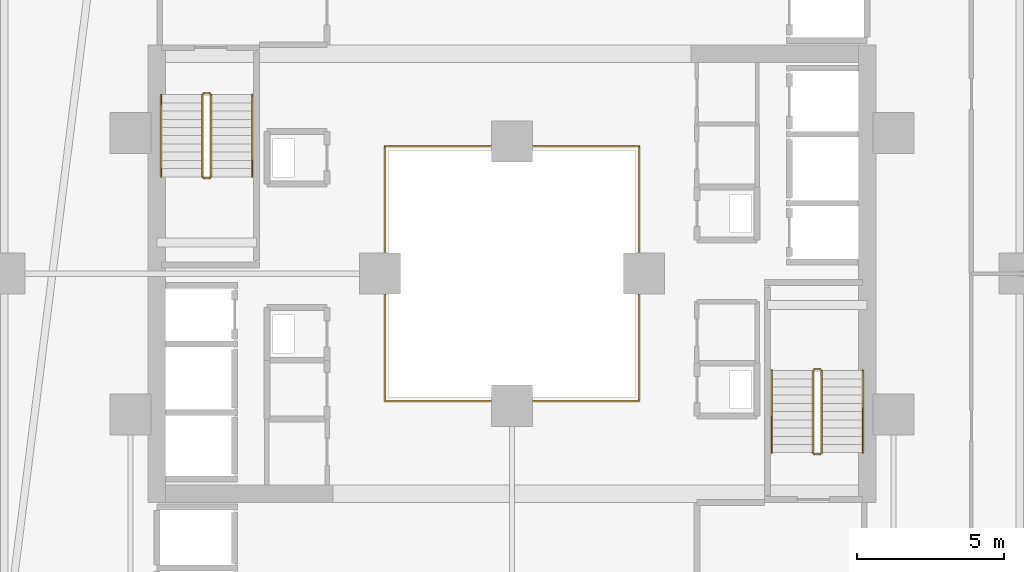
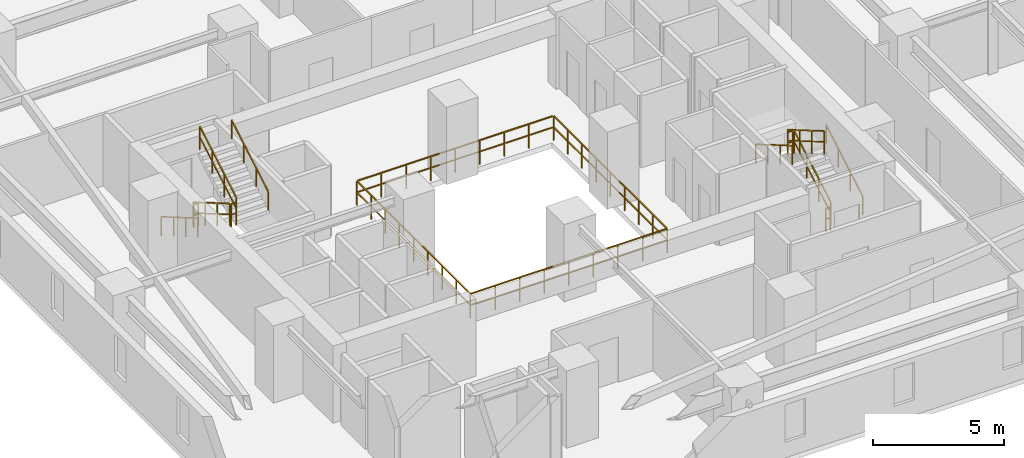
# One storey, part 33 of 34: 13 railings.
"""IFC4 building model written with IfcOpenShell, lengths in metres."""

from ifc_helpers import new_model, si_unit, direction, frame, origin, origin_2d, place, context, subcontext, project, spatial, rectangle, extrude, material, type_object, element, save


model = new_model("IFC4")

# Units and contexts
model_context = context("Model", 3, precision=1e-05, world=origin(), true_north=direction((0.0, 1.0)))
body_context = subcontext(model_context, "Body", "Model", "MODEL_VIEW")
ifc_project = project(units=[si_unit("LENGTHUNIT", "METRE"), si_unit("AREAUNIT", "SQUARE_METRE"), si_unit("VOLUMEUNIT", "CUBIC_METRE"), si_unit("PLANEANGLEUNIT", "RADIAN"), si_unit("MASSUNIT", "GRAM", prefix="KILO")], contexts=[model_context])

# Site, building, storey
site_placement = place(None, origin())
site = spatial("IfcSite", under=ifc_project, at=site_placement, CompositionType="ELEMENT")
building_placement = place(site_placement, origin())
building = spatial("IfcBuilding", under=site, at=building_placement, Name="Thornwick Lancets Civic Towers", CompositionType="ELEMENT")
storey_placement = place(building_placement, frame((0.0, 0.0, 53.699951171875)))
storey = spatial("IfcBuildingStorey", under=building, at=storey_placement, Name="L13", CompositionType="ELEMENT", Elevation=53.699951171875)

# Railings
ifc_material_1 = material(Name="Laminated glass and bronze steel S355", Category="steel")
railing_type_1 = type_object("IfcRailingType", Name="RAIL_ATRIUM_GUARD", PredefinedType="BALUSTRADE", material=ifc_material_1)
railing_1_placement = place(storey_placement, frame((84.159912109375, 22.659912109375, 0.0)))
element("IfcRailing", 1, at=railing_1_placement, inside=storey, type_object=railing_type_1, Name="L13 Tower B Central Atrium Guard Balustrade", PredefinedType="BALUSTRADE", context=body_context, shape_type="SweptSolid", body=[
    extrude(rectangle(XDim=0.048095703125, YDim=0.048095703125, at=origin_2d()), frame((0.0, 0.0, 1.1259765625), z_axis=(1.0, 0.0, 0.0), x_axis=(0.0, 1.0, 0.0)), (0.0, 0.0, 1.0), 8.64892578125),
    extrude(rectangle(XDim=0.0419921875, YDim=0.0419921875, at=origin_2d()), frame((0.03759765625, 0.0, 0.597900390625), z_axis=(1.0, 0.0, 0.0), x_axis=(0.0, 1.0, 0.0)), (0.0, 0.0, 1.0), 1.010009765625),
    extrude(rectangle(XDim=0.0419921875, YDim=0.0419921875, at=origin_2d()), frame((1.12255859375, 0.0, 0.597900390625), z_axis=(1.0, 0.0, 0.0), x_axis=(0.0, 1.0, 0.0)), (0.0, 0.0, 1.0), 1.010009765625),
    extrude(rectangle(XDim=0.0419921875, YDim=0.0419921875, at=origin_2d()), frame((2.20751953125, 0.0, 0.597900390625), z_axis=(1.0, 0.0, 0.0), x_axis=(0.0, 1.0, 0.0)), (0.0, 0.0, 1.0), 1.010009765625),
    extrude(rectangle(XDim=0.0419921875, YDim=0.0419921875, at=origin_2d()), frame((3.29248046875, 0.0, 0.597900390625), z_axis=(1.0, 0.0, 0.0), x_axis=(0.0, 1.0, 0.0)), (0.0, 0.0, 1.0), 1.010009765625),
    extrude(rectangle(XDim=0.0419921875, YDim=0.0419921875, at=origin_2d()), frame((4.377685546875, 0.0, 0.597900390625), z_axis=(1.0, 0.0, 0.0), x_axis=(0.0, 1.0, 0.0)), (0.0, 0.0, 1.0), 1.010009765625),
    extrude(rectangle(XDim=0.0419921875, YDim=0.0419921875, at=origin_2d()), frame((5.462646484375, 0.0, 0.597900390625), z_axis=(1.0, 0.0, 0.0), x_axis=(0.0, 1.0, 0.0)), (0.0, 0.0, 1.0), 1.010009765625),
    extrude(rectangle(XDim=0.0419921875, YDim=0.0419921875, at=origin_2d()), frame((6.547607421875, 0.0, 0.597900390625), z_axis=(1.0, 0.0, 0.0), x_axis=(0.0, 1.0, 0.0)), (0.0, 0.0, 1.0), 1.010009765625),
    extrude(rectangle(XDim=0.0419921875, YDim=0.0419921875, at=origin_2d()), frame((7.632568359375, 0.0, 0.597900390625), z_axis=(1.0, 0.0, 0.0), x_axis=(0.0, 1.0, 0.0)), (0.0, 0.0, 1.0), 1.010009765625),
    extrude(rectangle(XDim=0.048095703125, YDim=0.048095703125, at=origin_2d()), frame((8.68017578125, 0.03125, 1.1259765625), z_axis=(0.0, 1.0, 0.0), x_axis=(-1.0, 0.0, 0.0)), (0.0, 0.0, 1.0), 8.61767578125),
    extrude(rectangle(XDim=0.0419921875, YDim=0.0419921875, at=origin_2d()), frame((8.68017578125, 0.03759765625, 0.597900390625), z_axis=(0.0, 1.0, 0.0), x_axis=(-1.0, 0.0, 0.0)), (0.0, 0.0, 1.0), 1.010009765625),
    extrude(rectangle(XDim=0.0419921875, YDim=0.0419921875, at=origin_2d()), frame((8.68017578125, 1.12255859375, 0.597900390625), z_axis=(0.0, 1.0, 0.0), x_axis=(-1.0, 0.0, 0.0)), (0.0, 0.0, 1.0), 1.010009765625),
    extrude(rectangle(XDim=0.0419921875, YDim=0.0419921875, at=origin_2d()), frame((8.68017578125, 2.20751953125, 0.597900390625), z_axis=(0.0, 1.0, 0.0), x_axis=(-1.0, 0.0, 0.0)), (0.0, 0.0, 1.0), 1.010009765625),
    extrude(rectangle(XDim=0.0419921875, YDim=0.0419921875, at=origin_2d()), frame((8.68017578125, 3.29248046875, 0.597900390625), z_axis=(0.0, 1.0, 0.0), x_axis=(-1.0, 0.0, 0.0)), (0.0, 0.0, 1.0), 1.010009765625),
    extrude(rectangle(XDim=0.0419921875, YDim=0.0419921875, at=origin_2d()), frame((8.68017578125, 4.377685546875, 0.597900390625), z_axis=(0.0, 1.0, 0.0), x_axis=(-1.0, 0.0, 0.0)), (0.0, 0.0, 1.0), 1.010009765625),
    extrude(rectangle(XDim=0.0419921875, YDim=0.0419921875, at=origin_2d()), frame((8.68017578125, 5.462646484375, 0.597900390625), z_axis=(0.0, 1.0, 0.0), x_axis=(-1.0, 0.0, 0.0)), (0.0, 0.0, 1.0), 1.010009765625),
    extrude(rectangle(XDim=0.0419921875, YDim=0.0419921875, at=origin_2d()), frame((8.68017578125, 6.547607421875, 0.597900390625), z_axis=(0.0, 1.0, 0.0), x_axis=(-1.0, 0.0, 0.0)), (0.0, 0.0, 1.0), 1.010009765625),
    extrude(rectangle(XDim=0.0419921875, YDim=0.0419921875, at=origin_2d()), frame((8.68017578125, 7.632568359375, 0.597900390625), z_axis=(0.0, 1.0, 0.0), x_axis=(-1.0, 0.0, 0.0)), (0.0, 0.0, 1.0), 1.010009765625),
    extrude(rectangle(XDim=0.048095703125, YDim=0.048095703125, at=origin_2d()), frame((8.64892578125, 8.68017578125, 1.1259765625), z_axis=(-1.0, 0.0, 0.0), x_axis=(0.0, -1.0, 0.0)), (0.0, 0.0, 1.0), 8.61767578125),
    extrude(rectangle(XDim=0.0419921875, YDim=0.0419921875, at=origin_2d()), frame((8.642578125, 8.68017578125, 0.597900390625), z_axis=(-1.0, 0.0, 0.0), x_axis=(0.0, -1.0, 0.0)), (0.0, 0.0, 1.0), 1.010009765625),
    extrude(rectangle(XDim=0.0419921875, YDim=0.0419921875, at=origin_2d()), frame((7.5576171875, 8.68017578125, 0.597900390625), z_axis=(-1.0, 0.0, 0.0), x_axis=(0.0, -1.0, 0.0)), (0.0, 0.0, 1.0), 1.010009765625),
    extrude(rectangle(XDim=0.0419921875, YDim=0.0419921875, at=origin_2d()), frame((6.47265625, 8.68017578125, 0.597900390625), z_axis=(-1.0, 0.0, 0.0), x_axis=(0.0, -1.0, 0.0)), (0.0, 0.0, 1.0), 1.010009765625),
    extrude(rectangle(XDim=0.0419921875, YDim=0.0419921875, at=origin_2d()), frame((5.3876953125, 8.68017578125, 0.597900390625), z_axis=(-1.0, 0.0, 0.0), x_axis=(0.0, -1.0, 0.0)), (0.0, 0.0, 1.0), 1.010009765625),
    extrude(rectangle(XDim=0.0419921875, YDim=0.0419921875, at=origin_2d()), frame((4.302490234375, 8.68017578125, 0.597900390625), z_axis=(-1.0, 0.0, 0.0), x_axis=(0.0, -1.0, 0.0)), (0.0, 0.0, 1.0), 1.010009765625),
    extrude(rectangle(XDim=0.0419921875, YDim=0.0419921875, at=origin_2d()), frame((3.217529296875, 8.68017578125, 0.597900390625), z_axis=(-1.0, 0.0, 0.0), x_axis=(0.0, -1.0, 0.0)), (0.0, 0.0, 1.0), 1.010009765625),
    extrude(rectangle(XDim=0.0419921875, YDim=0.0419921875, at=origin_2d()), frame((2.132568359375, 8.68017578125, 0.597900390625), z_axis=(-1.0, 0.0, 0.0), x_axis=(0.0, -1.0, 0.0)), (0.0, 0.0, 1.0), 1.010009765625),
    extrude(rectangle(XDim=0.0419921875, YDim=0.0419921875, at=origin_2d()), frame((1.047607421875, 8.68017578125, 0.597900390625), z_axis=(-1.0, 0.0, 0.0), x_axis=(0.0, -1.0, 0.0)), (0.0, 0.0, 1.0), 1.010009765625),
    extrude(rectangle(XDim=0.048095703125, YDim=0.048095703125, at=origin_2d()), frame((0.0, 8.64892578125, 1.1259765625), z_axis=(0.0, -1.0, 0.0), x_axis=(1.0, 0.0, 0.0)), (0.0, 0.0, 1.0), 8.64892578125),
    extrude(rectangle(XDim=0.0419921875, YDim=0.0419921875, at=origin_2d()), frame((0.0, 8.642578125, 0.597900390625), z_axis=(0.0, -1.0, 0.0), x_axis=(1.0, 0.0, 0.0)), (0.0, 0.0, 1.0), 1.010009765625),
    extrude(rectangle(XDim=0.0419921875, YDim=0.0419921875, at=origin_2d()), frame((0.0, 7.5576171875, 0.597900390625), z_axis=(0.0, -1.0, 0.0), x_axis=(1.0, 0.0, 0.0)), (0.0, 0.0, 1.0), 1.010009765625),
    extrude(rectangle(XDim=0.0419921875, YDim=0.0419921875, at=origin_2d()), frame((0.0, 6.47265625, 0.597900390625), z_axis=(0.0, -1.0, 0.0), x_axis=(1.0, 0.0, 0.0)), (0.0, 0.0, 1.0), 1.010009765625),
    extrude(rectangle(XDim=0.0419921875, YDim=0.0419921875, at=origin_2d()), frame((0.0, 5.3876953125, 0.597900390625), z_axis=(0.0, -1.0, 0.0), x_axis=(1.0, 0.0, 0.0)), (0.0, 0.0, 1.0), 1.010009765625),
    extrude(rectangle(XDim=0.0419921875, YDim=0.0419921875, at=origin_2d()), frame((0.0, 4.302490234375, 0.597900390625), z_axis=(0.0, -1.0, 0.0), x_axis=(1.0, 0.0, 0.0)), (0.0, 0.0, 1.0), 1.010009765625),
    extrude(rectangle(XDim=0.0419921875, YDim=0.0419921875, at=origin_2d()), frame((0.0, 3.217529296875, 0.597900390625), z_axis=(0.0, -1.0, 0.0), x_axis=(1.0, 0.0, 0.0)), (0.0, 0.0, 1.0), 1.010009765625),
    extrude(rectangle(XDim=0.0419921875, YDim=0.0419921875, at=origin_2d()), frame((0.0, 2.132568359375, 0.597900390625), z_axis=(0.0, -1.0, 0.0), x_axis=(1.0, 0.0, 0.0)), (0.0, 0.0, 1.0), 1.010009765625),
    extrude(rectangle(XDim=0.0419921875, YDim=0.0419921875, at=origin_2d()), frame((0.0, 1.047607421875, 0.597900390625), z_axis=(0.0, -1.0, 0.0), x_axis=(1.0, 0.0, 0.0)), (0.0, 0.0, 1.0), 1.010009765625),
    extrude(rectangle(XDim=0.0419921875, YDim=0.0419921875, at=origin_2d()), origin(), (0.0, 0.0, 1.0), 1.095703125),
    extrude(rectangle(XDim=0.0419921875, YDim=0.0419921875, at=origin_2d()), frame((1.0849609375, 0.0, 0.0)), (0.0, 0.0, 1.0), 1.095703125),
    extrude(rectangle(XDim=0.0419921875, YDim=0.0419921875, at=origin_2d()), frame((2.169921875, 0.0, 0.0)), (0.0, 0.0, 1.0), 1.095703125),
    extrude(rectangle(XDim=0.0419921875, YDim=0.0419921875, at=origin_2d()), frame((3.255126953125, 0.0, 0.0)), (0.0, 0.0, 1.0), 1.095703125),
    extrude(rectangle(XDim=0.0419921875, YDim=0.0419921875, at=origin_2d()), frame((4.340087890625, 0.0, 0.0)), (0.0, 0.0, 1.0), 1.095703125),
    extrude(rectangle(XDim=0.0419921875, YDim=0.0419921875, at=origin_2d()), frame((5.425048828125, 0.0, 0.0)), (0.0, 0.0, 1.0), 1.095703125),
    extrude(rectangle(XDim=0.0419921875, YDim=0.0419921875, at=origin_2d()), frame((6.51025390625, 0.0, 0.0)), (0.0, 0.0, 1.0), 1.095703125),
    extrude(rectangle(XDim=0.0419921875, YDim=0.0419921875, at=origin_2d()), frame((7.59521484375, 0.0, 0.0)), (0.0, 0.0, 1.0), 1.095703125),
    extrude(rectangle(XDim=0.0419921875, YDim=0.0419921875, at=origin_2d()), frame((8.68017578125, 0.0, 0.0)), (0.0, 0.0, 1.0), 1.095703125),
    extrude(rectangle(XDim=0.0419921875, YDim=0.0419921875, at=origin_2d()), frame((8.68017578125, 1.0849609375, 0.0)), (0.0, 0.0, 1.0), 1.095703125),
    extrude(rectangle(XDim=0.0419921875, YDim=0.0419921875, at=origin_2d()), frame((8.68017578125, 2.169921875, 0.0)), (0.0, 0.0, 1.0), 1.095703125),
    extrude(rectangle(XDim=0.0419921875, YDim=0.0419921875, at=origin_2d()), frame((8.68017578125, 3.255126953125, 0.0)), (0.0, 0.0, 1.0), 1.095703125),
    extrude(rectangle(XDim=0.0419921875, YDim=0.0419921875, at=origin_2d()), frame((8.68017578125, 4.340087890625, 0.0)), (0.0, 0.0, 1.0), 1.095703125),
    extrude(rectangle(XDim=0.0419921875, YDim=0.0419921875, at=origin_2d()), frame((8.68017578125, 5.425048828125, 0.0)), (0.0, 0.0, 1.0), 1.095703125),
    extrude(rectangle(XDim=0.0419921875, YDim=0.0419921875, at=origin_2d()), frame((8.68017578125, 6.51025390625, 0.0)), (0.0, 0.0, 1.0), 1.095703125),
    extrude(rectangle(XDim=0.0419921875, YDim=0.0419921875, at=origin_2d()), frame((8.68017578125, 7.59521484375, 0.0)), (0.0, 0.0, 1.0), 1.095703125),
    extrude(rectangle(XDim=0.0419921875, YDim=0.0419921875, at=origin_2d()), frame((8.68017578125, 8.68017578125, 0.0)), (0.0, 0.0, 1.0), 1.095703125),
    extrude(rectangle(XDim=0.0419921875, YDim=0.0419921875, at=origin_2d()), frame((7.59521484375, 8.68017578125, 0.0)), (0.0, 0.0, 1.0), 1.095703125),
    extrude(rectangle(XDim=0.0419921875, YDim=0.0419921875, at=origin_2d()), frame((6.51025390625, 8.68017578125, 0.0)), (0.0, 0.0, 1.0), 1.095703125),
    extrude(rectangle(XDim=0.0419921875, YDim=0.0419921875, at=origin_2d()), frame((5.425048828125, 8.68017578125, 0.0)), (0.0, 0.0, 1.0), 1.095703125),
    extrude(rectangle(XDim=0.0419921875, YDim=0.0419921875, at=origin_2d()), frame((4.340087890625, 8.68017578125, 0.0)), (0.0, 0.0, 1.0), 1.095703125),
    extrude(rectangle(XDim=0.0419921875, YDim=0.0419921875, at=origin_2d()), frame((3.255126953125, 8.68017578125, 0.0)), (0.0, 0.0, 1.0), 1.095703125),
    extrude(rectangle(XDim=0.0419921875, YDim=0.0419921875, at=origin_2d()), frame((2.169921875, 8.68017578125, 0.0)), (0.0, 0.0, 1.0), 1.095703125),
    extrude(rectangle(XDim=0.0419921875, YDim=0.0419921875, at=origin_2d()), frame((1.0849609375, 8.68017578125, 0.0)), (0.0, 0.0, 1.0), 1.095703125),
    extrude(rectangle(XDim=0.0419921875, YDim=0.0419921875, at=origin_2d()), frame((0.0, 8.68017578125, 0.0)), (0.0, 0.0, 1.0), 1.095703125),
    extrude(rectangle(XDim=0.0419921875, YDim=0.0419921875, at=origin_2d()), frame((0.0, 7.59521484375, 0.0)), (0.0, 0.0, 1.0), 1.095703125),
    extrude(rectangle(XDim=0.0419921875, YDim=0.0419921875, at=origin_2d()), frame((0.0, 6.51025390625, 0.0)), (0.0, 0.0, 1.0), 1.095703125),
    extrude(rectangle(XDim=0.0419921875, YDim=0.0419921875, at=origin_2d()), frame((0.0, 5.425048828125, 0.0)), (0.0, 0.0, 1.0), 1.095703125),
    extrude(rectangle(XDim=0.0419921875, YDim=0.0419921875, at=origin_2d()), frame((0.0, 4.340087890625, 0.0)), (0.0, 0.0, 1.0), 1.095703125),
    extrude(rectangle(XDim=0.0419921875, YDim=0.0419921875, at=origin_2d()), frame((0.0, 3.255126953125, 0.0)), (0.0, 0.0, 1.0), 1.095703125),
    extrude(rectangle(XDim=0.0419921875, YDim=0.0419921875, at=origin_2d()), frame((0.0, 2.169921875, 0.0)), (0.0, 0.0, 1.0), 1.095703125),
    extrude(rectangle(XDim=0.0419921875, YDim=0.0419921875, at=origin_2d()), frame((0.0, 1.0849609375, 0.0)), (0.0, 0.0, 1.0), 1.095703125),
])
ifc_material_2 = material(Name="Brushed stainless steel S355", Category="steel")
railing_type_2 = type_object("IfcRailingType", Name="RAIL_HANDRAIL", PredefinedType="HANDRAIL", material=ifc_material_2)
railing_2_placement = place(storey_placement, frame((100.449951171875, 20.89990234375, 0.16357421875)))
element("IfcRailing", 2, at=railing_2_placement, inside=storey, type_object=railing_type_2, Name="L13 ST-B1 stair handrail 1", PredefinedType="HANDRAIL", context=body_context, shape_type="SweptSolid", body=[
    extrude(rectangle(XDim=0.048095703125, YDim=0.048095703125, at=origin_2d()), frame((0.0, 0.0, 0.8857421875), z_axis=(0.0, 0.863360870873, 0.504586966384), x_axis=(-1.0, 0.0, 0.0)), (0.0, 0.0, 1.0), 3.2431640625),
    extrude(rectangle(XDim=0.0419921875, YDim=0.0419921875, at=origin_2d()), origin(), (0.0, 0.0, 1.0), 0.855712890625),
    extrude(rectangle(XDim=0.0419921875, YDim=0.0419921875, at=origin_2d()), frame((0.0, 0.933349609375, 0.54541015625)), (0.0, 0.0, 1.0), 0.855712890625),
    extrude(rectangle(XDim=0.0419921875, YDim=0.0419921875, at=origin_2d()), frame((0.0, 1.86669921875, 1.091064453125)), (0.0, 0.0, 1.0), 0.855712890625),
    extrude(rectangle(XDim=0.0419921875, YDim=0.0419921875, at=origin_2d()), frame((0.0, 2.800048828125, 1.636474609375)), (0.0, 0.0, 1.0), 0.855712890625),
])
for number, where, name in (
    (3, (97.35009765625, 23.699951171875, 1.963623046875), "L13 ST-B1 stair handrail 2"),
    (4, (76.550048828125, 33.10009765625, 0.16357421875), "L13 ST-B2 stair handrail 1"),
):
    element("IfcRailing", number, at=place(storey_placement, frame(where)), inside=storey, type_object=railing_type_2, Name=name, PredefinedType="HANDRAIL", context=body_context, shape_type="SweptSolid", body=[
        extrude(rectangle(XDim=0.048095703125, YDim=0.048095703125, at=origin_2d()), frame((0.0, 0.0, 0.8857421875), z_axis=(0.0, -0.863360870873, 0.504586966384), x_axis=(1.0, 0.0, 0.0)), (0.0, 0.0, 1.0), 3.2431640625),
        extrude(rectangle(XDim=0.0419921875, YDim=0.0419921875, at=origin_2d()), origin(), (0.0, 0.0, 1.0), 0.855712890625),
        extrude(rectangle(XDim=0.0419921875, YDim=0.0419921875, at=origin_2d()), frame((0.0, -0.933349609375, 0.54541015625)), (0.0, 0.0, 1.0), 0.855712890625),
        extrude(rectangle(XDim=0.0419921875, YDim=0.0419921875, at=origin_2d()), frame((0.0, -1.86669921875, 1.091064453125)), (0.0, 0.0, 1.0), 0.855712890625),
        extrude(rectangle(XDim=0.0419921875, YDim=0.0419921875, at=origin_2d()), frame((0.0, -2.800048828125, 1.636474609375)), (0.0, 0.0, 1.0), 0.855712890625),
    ])
railing_3_placement = place(storey_placement, frame((79.64990234375, 30.300048828125, 1.963623046875)))
element("IfcRailing", 5, at=railing_3_placement, inside=storey, type_object=railing_type_2, Name="L13 ST-B2 stair handrail 2", PredefinedType="HANDRAIL", context=body_context, shape_type="SweptSolid", body=[
    extrude(rectangle(XDim=0.048095703125, YDim=0.048095703125, at=origin_2d()), frame((0.0, 0.0, 0.8857421875), z_axis=(0.0, 0.863360870873, 0.504586966384), x_axis=(-1.0, 0.0, 0.0)), (0.0, 0.0, 1.0), 3.2431640625),
    extrude(rectangle(XDim=0.0419921875, YDim=0.0419921875, at=origin_2d()), origin(), (0.0, 0.0, 1.0), 0.855712890625),
    extrude(rectangle(XDim=0.0419921875, YDim=0.0419921875, at=origin_2d()), frame((0.0, 0.933349609375, 0.54541015625)), (0.0, 0.0, 1.0), 0.855712890625),
    extrude(rectangle(XDim=0.0419921875, YDim=0.0419921875, at=origin_2d()), frame((0.0, 1.86669921875, 1.091064453125)), (0.0, 0.0, 1.0), 0.855712890625),
    extrude(rectangle(XDim=0.0419921875, YDim=0.0419921875, at=origin_2d()), frame((0.0, 2.800048828125, 1.636474609375)), (0.0, 0.0, 1.0), 0.855712890625),
])
ifc_material_3 = material(Name="Steel S355JR", Category="steel")
railing_type_3 = type_object("IfcRailingType", Name="RAIL_STAIR_GUARD", PredefinedType="GUARDRAIL", material=ifc_material_3)
railing_4_placement = place(storey_placement, frame((99.050048828125, 20.89990234375, 0.16357421875)))
element("IfcRailing", 6, at=railing_4_placement, inside=storey, type_object=railing_type_3, Name="L13 ST-B1 stair guard 1", PredefinedType="GUARDRAIL", context=body_context, shape_type="SweptSolid", body=[
    extrude(rectangle(XDim=0.048095703125, YDim=0.048095703125, at=origin_2d()), frame((0.0, 0.0, 1.076171875), z_axis=(0.0, 0.863360870873, 0.504586966384), x_axis=(-1.0, 0.0, 0.0)), (0.0, 0.0, 1.0), 3.2431640625),
    extrude(rectangle(XDim=0.0419921875, YDim=0.0419921875, at=origin_2d()), frame((0.0, 0.032470703125, 0.591064453125), z_axis=(0.0, 0.863360870873, 0.504586966384), x_axis=(-1.0, 0.0, 0.0)), (0.0, 0.0, 1.0), 1.006103515625),
    extrude(rectangle(XDim=0.0419921875, YDim=0.0419921875, at=origin_2d()), frame((0.0, 0.9658203125, 1.136474609375), z_axis=(0.0, 0.863360870873, 0.504586966384), x_axis=(-1.0, 0.0, 0.0)), (0.0, 0.0, 1.0), 1.006103515625),
    extrude(rectangle(XDim=0.0419921875, YDim=0.0419921875, at=origin_2d()), frame((0.0, 1.899169921875, 1.681884765625), z_axis=(0.0, 0.863360870873, 0.504586966384), x_axis=(-1.0, 0.0, 0.0)), (0.0, 0.0, 1.0), 1.006103515625),
    extrude(rectangle(XDim=0.0419921875, YDim=0.0419921875, at=origin_2d()), origin(), (0.0, 0.0, 1.0), 1.0458984375),
    extrude(rectangle(XDim=0.0419921875, YDim=0.0419921875, at=origin_2d()), frame((0.0, 0.933349609375, 0.54541015625)), (0.0, 0.0, 1.0), 1.0458984375),
    extrude(rectangle(XDim=0.0419921875, YDim=0.0419921875, at=origin_2d()), frame((0.0, 1.86669921875, 1.091064453125)), (0.0, 0.0, 1.0), 1.0458984375),
    extrude(rectangle(XDim=0.0419921875, YDim=0.0419921875, at=origin_2d()), frame((0.0, 2.800048828125, 1.636474609375)), (0.0, 0.0, 1.0), 1.0458984375),
])
railing_5_placement = place(storey_placement, frame((99.0, 23.75, 1.800048828125)))
element("IfcRailing", 7, at=railing_5_placement, inside=storey, type_object=railing_type_3, Name="L13 ST-B1 stair guard 2", PredefinedType="GUARDRAIL", context=body_context, shape_type="SweptSolid", body=[
    extrude(rectangle(XDim=0.048095703125, YDim=0.048095703125, at=origin_2d()), frame((0.0, 0.0, 1.076171875), z_axis=(-1.0, 0.0, 0.0), x_axis=(0.0, -1.0, 0.0)), (0.0, 0.0, 1.0), 0.199951171875),
    extrude(rectangle(XDim=0.0419921875, YDim=0.0419921875, at=origin_2d()), frame((-0.03759765625, 0.0, 0.572021484375), z_axis=(-1.0, 0.0, 0.0), x_axis=(0.0, -1.0, 0.0)), (0.0, 0.0, 1.0), 0.125),
    extrude(rectangle(XDim=0.0419921875, YDim=0.0419921875, at=origin_2d()), origin(), (0.0, 0.0, 1.0), 1.0458984375),
    extrude(rectangle(XDim=0.0419921875, YDim=0.0419921875, at=origin_2d()), frame((-0.199951171875, 0.0, 0.0)), (0.0, 0.0, 1.0), 1.0458984375),
])
railing_6_placement = place(storey_placement, frame((98.75, 23.699951171875, 1.963623046875)))
element("IfcRailing", 8, at=railing_6_placement, inside=storey, type_object=railing_type_3, Name="L13 ST-B1 stair guard 3", PredefinedType="GUARDRAIL", context=body_context, shape_type="SweptSolid", body=[
    extrude(rectangle(XDim=0.048095703125, YDim=0.048095703125, at=origin_2d()), frame((0.0, 0.0, 1.076171875), z_axis=(0.0, -0.863360870873, 0.504586966384), x_axis=(1.0, 0.0, 0.0)), (0.0, 0.0, 1.0), 3.2431640625),
    extrude(rectangle(XDim=0.0419921875, YDim=0.0419921875, at=origin_2d()), frame((0.0, -0.032470703125, 0.591064453125), z_axis=(0.0, -0.863360870873, 0.504586966384), x_axis=(1.0, 0.0, 0.0)), (0.0, 0.0, 1.0), 1.006103515625),
    extrude(rectangle(XDim=0.0419921875, YDim=0.0419921875, at=origin_2d()), frame((0.0, -0.9658203125, 1.136474609375), z_axis=(0.0, -0.863360870873, 0.504586966384), x_axis=(1.0, 0.0, 0.0)), (0.0, 0.0, 1.0), 1.006103515625),
    extrude(rectangle(XDim=0.0419921875, YDim=0.0419921875, at=origin_2d()), frame((0.0, -1.899169921875, 1.681884765625), z_axis=(0.0, -0.863360870873, 0.504586966384), x_axis=(1.0, 0.0, 0.0)), (0.0, 0.0, 1.0), 1.006103515625),
    extrude(rectangle(XDim=0.0419921875, YDim=0.0419921875, at=origin_2d()), origin(), (0.0, 0.0, 1.0), 1.0458984375),
    extrude(rectangle(XDim=0.0419921875, YDim=0.0419921875, at=origin_2d()), frame((0.0, -0.933349609375, 0.54541015625)), (0.0, 0.0, 1.0), 1.0458984375),
    extrude(rectangle(XDim=0.0419921875, YDim=0.0419921875, at=origin_2d()), frame((0.0, -1.86669921875, 1.091064453125)), (0.0, 0.0, 1.0), 1.0458984375),
    extrude(rectangle(XDim=0.0419921875, YDim=0.0419921875, at=origin_2d()), frame((0.0, -2.800048828125, 1.636474609375)), (0.0, 0.0, 1.0), 1.0458984375),
])
railing_7_placement = place(storey_placement, frame((99.0, 20.85009765625, 0.0)))
element("IfcRailing", 9, at=railing_7_placement, inside=storey, type_object=railing_type_3, Name="L13 ST-B1 stair guard 4", PredefinedType="GUARDRAIL", context=body_context, shape_type="SweptSolid", body=[
    extrude(rectangle(XDim=0.048095703125, YDim=0.048095703125, at=origin_2d()), frame((0.0, 0.0, 1.076171875), z_axis=(-1.0, 0.0, 0.0), x_axis=(0.0, -1.0, 0.0)), (0.0, 0.0, 1.0), 0.199951171875),
    extrude(rectangle(XDim=0.0419921875, YDim=0.0419921875, at=origin_2d()), frame((-0.03759765625, 0.0, 0.572021484375), z_axis=(-1.0, 0.0, 0.0), x_axis=(0.0, -1.0, 0.0)), (0.0, 0.0, 1.0), 0.125),
    extrude(rectangle(XDim=0.0419921875, YDim=0.0419921875, at=origin_2d()), origin(), (0.0, 0.0, 1.0), 1.0458984375),
    extrude(rectangle(XDim=0.0419921875, YDim=0.0419921875, at=origin_2d()), frame((-0.199951171875, 0.0, 0.0)), (0.0, 0.0, 1.0), 1.0458984375),
])
railing_8_placement = place(storey_placement, frame((77.949951171875, 33.10009765625, 0.16357421875)))
element("IfcRailing", 10, at=railing_8_placement, inside=storey, type_object=railing_type_3, Name="L13 ST-B2 stair guard 1", PredefinedType="GUARDRAIL", context=body_context, shape_type="SweptSolid", body=[
    extrude(rectangle(XDim=0.048095703125, YDim=0.048095703125, at=origin_2d()), frame((0.0, 0.0, 1.076171875), z_axis=(0.0, -0.863360870873, 0.504586966384), x_axis=(1.0, 0.0, 0.0)), (0.0, 0.0, 1.0), 3.2431640625),
    extrude(rectangle(XDim=0.0419921875, YDim=0.0419921875, at=origin_2d()), frame((0.0, -0.032470703125, 0.591064453125), z_axis=(0.0, -0.863360870873, 0.504586966384), x_axis=(1.0, 0.0, 0.0)), (0.0, 0.0, 1.0), 1.006103515625),
    extrude(rectangle(XDim=0.0419921875, YDim=0.0419921875, at=origin_2d()), frame((0.0, -0.9658203125, 1.136474609375), z_axis=(0.0, -0.863360870873, 0.504586966384), x_axis=(1.0, 0.0, 0.0)), (0.0, 0.0, 1.0), 1.006103515625),
    extrude(rectangle(XDim=0.0419921875, YDim=0.0419921875, at=origin_2d()), frame((0.0, -1.899169921875, 1.681884765625), z_axis=(0.0, -0.863360870873, 0.504586966384), x_axis=(1.0, 0.0, 0.0)), (0.0, 0.0, 1.0), 1.006103515625),
    extrude(rectangle(XDim=0.0419921875, YDim=0.0419921875, at=origin_2d()), origin(), (0.0, 0.0, 1.0), 1.0458984375),
    extrude(rectangle(XDim=0.0419921875, YDim=0.0419921875, at=origin_2d()), frame((0.0, -0.933349609375, 0.54541015625)), (0.0, 0.0, 1.0), 1.0458984375),
    extrude(rectangle(XDim=0.0419921875, YDim=0.0419921875, at=origin_2d()), frame((0.0, -1.86669921875, 1.091064453125)), (0.0, 0.0, 1.0), 1.0458984375),
    extrude(rectangle(XDim=0.0419921875, YDim=0.0419921875, at=origin_2d()), frame((0.0, -2.800048828125, 1.636474609375)), (0.0, 0.0, 1.0), 1.0458984375),
])
railing_9_placement = place(storey_placement, frame((78.0, 30.25, 1.800048828125)))
element("IfcRailing", 11, at=railing_9_placement, inside=storey, type_object=railing_type_3, Name="L13 ST-B2 stair guard 2", PredefinedType="GUARDRAIL", context=body_context, shape_type="SweptSolid", body=[
    extrude(rectangle(XDim=0.048095703125, YDim=0.048095703125, at=origin_2d()), frame((0.0, 0.0, 1.076171875), z_axis=(1.0, 0.0, 0.0), x_axis=(0.0, 1.0, 0.0)), (0.0, 0.0, 1.0), 0.199951171875),
    extrude(rectangle(XDim=0.0419921875, YDim=0.0419921875, at=origin_2d()), frame((0.03759765625, 0.0, 0.572021484375), z_axis=(1.0, 0.0, 0.0), x_axis=(0.0, 1.0, 0.0)), (0.0, 0.0, 1.0), 0.125),
    extrude(rectangle(XDim=0.0419921875, YDim=0.0419921875, at=origin_2d()), origin(), (0.0, 0.0, 1.0), 1.0458984375),
    extrude(rectangle(XDim=0.0419921875, YDim=0.0419921875, at=origin_2d()), frame((0.199951171875, 0.0, 0.0)), (0.0, 0.0, 1.0), 1.0458984375),
])
railing_10_placement = place(storey_placement, frame((78.25, 30.300048828125, 1.963623046875)))
element("IfcRailing", 12, at=railing_10_placement, inside=storey, type_object=railing_type_3, Name="L13 ST-B2 stair guard 3", PredefinedType="GUARDRAIL", context=body_context, shape_type="SweptSolid", body=[
    extrude(rectangle(XDim=0.048095703125, YDim=0.048095703125, at=origin_2d()), frame((0.0, 0.0, 1.076171875), z_axis=(0.0, 0.863360870873, 0.504586966384), x_axis=(-1.0, 0.0, 0.0)), (0.0, 0.0, 1.0), 3.2431640625),
    extrude(rectangle(XDim=0.0419921875, YDim=0.0419921875, at=origin_2d()), frame((0.0, 0.032470703125, 0.591064453125), z_axis=(0.0, 0.863360870873, 0.504586966384), x_axis=(-1.0, 0.0, 0.0)), (0.0, 0.0, 1.0), 1.006103515625),
    extrude(rectangle(XDim=0.0419921875, YDim=0.0419921875, at=origin_2d()), frame((0.0, 0.9658203125, 1.136474609375), z_axis=(0.0, 0.863360870873, 0.504586966384), x_axis=(-1.0, 0.0, 0.0)), (0.0, 0.0, 1.0), 1.006103515625),
    extrude(rectangle(XDim=0.0419921875, YDim=0.0419921875, at=origin_2d()), frame((0.0, 1.899169921875, 1.681884765625), z_axis=(0.0, 0.863360870873, 0.504586966384), x_axis=(-1.0, 0.0, 0.0)), (0.0, 0.0, 1.0), 1.006103515625),
    extrude(rectangle(XDim=0.0419921875, YDim=0.0419921875, at=origin_2d()), origin(), (0.0, 0.0, 1.0), 1.0458984375),
    extrude(rectangle(XDim=0.0419921875, YDim=0.0419921875, at=origin_2d()), frame((0.0, 0.933349609375, 0.54541015625)), (0.0, 0.0, 1.0), 1.0458984375),
    extrude(rectangle(XDim=0.0419921875, YDim=0.0419921875, at=origin_2d()), frame((0.0, 1.86669921875, 1.091064453125)), (0.0, 0.0, 1.0), 1.0458984375),
    extrude(rectangle(XDim=0.0419921875, YDim=0.0419921875, at=origin_2d()), frame((0.0, 2.800048828125, 1.636474609375)), (0.0, 0.0, 1.0), 1.0458984375),
])
railing_11_placement = place(storey_placement, frame((78.0, 33.14990234375, 0.0)))
element("IfcRailing", 13, at=railing_11_placement, inside=storey, type_object=railing_type_3, Name="L13 ST-B2 stair guard 4", PredefinedType="GUARDRAIL", context=body_context, shape_type="SweptSolid", body=[
    extrude(rectangle(XDim=0.048095703125, YDim=0.048095703125, at=origin_2d()), frame((0.0, 0.0, 1.076171875), z_axis=(1.0, 0.0, 0.0), x_axis=(0.0, 1.0, 0.0)), (0.0, 0.0, 1.0), 0.199951171875),
    extrude(rectangle(XDim=0.0419921875, YDim=0.0419921875, at=origin_2d()), frame((0.03759765625, 0.0, 0.572021484375), z_axis=(1.0, 0.0, 0.0), x_axis=(0.0, 1.0, 0.0)), (0.0, 0.0, 1.0), 0.125),
    extrude(rectangle(XDim=0.0419921875, YDim=0.0419921875, at=origin_2d()), origin(), (0.0, 0.0, 1.0), 1.0458984375),
    extrude(rectangle(XDim=0.0419921875, YDim=0.0419921875, at=origin_2d()), frame((0.199951171875, 0.0, 0.0)), (0.0, 0.0, 1.0), 1.0458984375),
])

save(model, "model.ifc")
